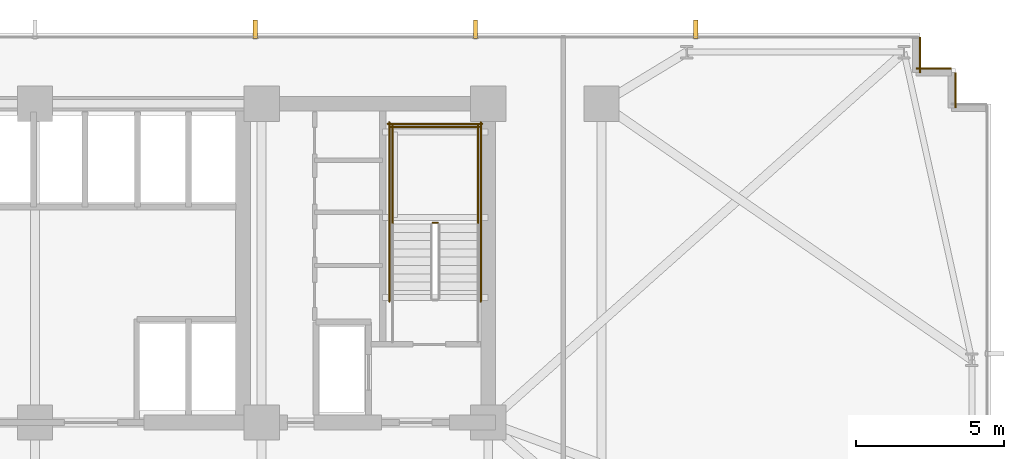
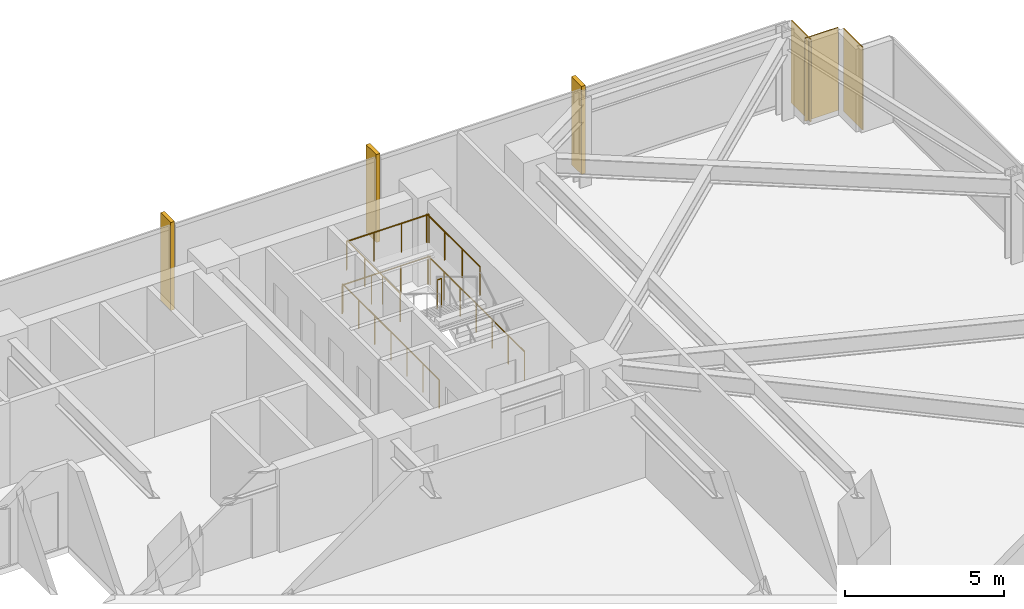
# One storey, part 31 of 32: 7 railings, 3 coverings, 3 shading devices.
"""IFC4 building model written with IfcOpenShell, lengths in metres."""

from ifc_helpers import new_model, si_unit, direction, frame, frame_2d, origin, origin_2d, place, context, subcontext, project, spatial, rectangle, circle, extrude, material, layer, layer_set, type_object, element, save


model = new_model("IFC4")

# Units and contexts
model_context = context("Model", 3, precision=1e-05, world=origin(), true_north=direction((0.0, 1.0)))
body_context = subcontext(model_context, "Body", "Model", "MODEL_VIEW")
ifc_project = project(units=[si_unit("LENGTHUNIT", "METRE"), si_unit("AREAUNIT", "SQUARE_METRE"), si_unit("VOLUMEUNIT", "CUBIC_METRE"), si_unit("PLANEANGLEUNIT", "RADIAN"), si_unit("MASSUNIT", "GRAM", prefix="KILO")], contexts=[model_context])

# Site, building, storey
site_placement = place(None, origin())
site = spatial("IfcSite", under=ifc_project, at=site_placement, CompositionType="ELEMENT")
building_placement = place(site_placement, origin())
building = spatial("IfcBuilding", under=site, at=building_placement, Name="Yelkora Congress Tower", CompositionType="ELEMENT")
storey_placement = place(building_placement, frame((0.0, 0.0, 50.800048828125)))
storey = spatial("IfcBuildingStorey", under=building, at=storey_placement, Name="L12", CompositionType="ELEMENT", Elevation=50.800048828125)

# Coverings
ifc_material_1 = material(Name="Anatolian bush-hammered limestone", Category="masonry")
ifc_layer_1 = layer(ifc_material_1, 0.0400390625)
ifc_layer_set_1 = layer_set([ifc_layer_1], Name="Anatolian bush-hammered limestone")
covering_type = type_object("IfcCoveringType", Name="COV-CLAD-SPANDREL-40", PredefinedType="CLADDING", material=ifc_layer_set_1)
for number, where, z_axis, x_axis, name in (
    (1, (68.39501953125, 48.4599609375, 0.0), (0.0, 0.0, 1.0), (0.0, -1.0, 0.0), "L12 Anatolian Limestone Cladding EW-L12-SR11"),
    (2, (68.260009765625, 47.39501953125, 0.0), (0.0, 0.0, 1.0), (1.0, 0.0, 0.0), "L12 Anatolian Limestone Cladding EW-L12-SR12"),
    (3, (69.594970703125, 47.260009765625, 0.0), (0.0, 0.0, 1.0), (0.0, -1.0, 0.0), "L12 Anatolian Limestone Cladding EW-L12-SR13"),
):
    element("IfcCovering", number, at=place(storey_placement, frame(where, z_axis=z_axis, x_axis=x_axis)), inside=storey, type_object=covering_type, Name=name, PredefinedType="CLADDING", context=body_context, shape_type="SweptSolid", body=[
        extrude(rectangle(XDim=1.199951171875, YDim=0.0400390625, at=frame_2d((0.60009765625, 0.0))), origin(), (0.0, 0.0, 1.0), 3.179931640625),
    ])

# Railings
ifc_material_2 = material(Name="Painted galvanised steel stair well guard with vertical infill", Category="steel")
ifc_layer_2 = layer(ifc_material_2, 0.06005859375)
ifc_layer_set_2 = layer_set([ifc_layer_2], Name="Painted galvanised steel stair well guard with vertical infill")
railing_type = type_object("IfcRailingType", Name="RAIL-STAIR-GUARD-1120", PredefinedType="GUARDRAIL", material=ifc_layer_set_2)
railing_1_placement = place(storey_placement, frame((52.0400390625, 42.169921875, 1.699951171875)))
element("IfcRailing", 4, at=railing_1_placement, inside=storey, type_object=railing_type, Name="ST-02 L12 Stair Well Guardrail 2", PredefinedType="GUARDRAIL", context=body_context, shape_type="SweptSolid", body=[
    extrude(circle(Radius=0.02392578125, at=origin_2d()), frame((0.0, 0.0, 1.09619140625), z_axis=(-1.0, 0.0, 0.0), x_axis=(0.0, -1.0, 0.0)), (0.0, 0.0, 1.0), 0.16015625),
    extrude(circle(Radius=0.02099609375, at=origin_2d()), origin(), (0.0, 0.0, 1.0), 1.072021484375),
    extrude(circle(Radius=0.02099609375, at=origin_2d()), frame((-0.16015625, 0.0, 0.0)), (0.0, 0.0, 1.0), 1.072021484375),
])
for number, where, name in (
    (5, (53.409912109375, 42.1201171875, 1.699951171875), "ST-02 L12 Stair Well Guardrail 3"),
    (6, (50.510009765625, 42.1201171875, 1.699951171875), "ST-02 L12 Stair Well Guardrail 4"),
):
    element("IfcRailing", number, at=place(storey_placement, frame(where)), inside=storey, type_object=railing_type, Name=name, PredefinedType="GUARDRAIL", context=body_context, shape_type="SweptSolid", body=[
        extrude(circle(Radius=0.02392578125, at=origin_2d()), frame((0.0, 0.0, 1.09619140625), z_axis=(0.0, 1.0, 0.0), x_axis=(-1.0, 0.0, 0.0)), (0.0, 0.0, 1.0), 3.349853515625),
        extrude(circle(Radius=0.02099609375, at=origin_2d()), origin(), (0.0, 0.0, 1.0), 1.072021484375),
        extrude(circle(Radius=0.02099609375, at=origin_2d()), frame((0.0, 1.11669921875, 0.0)), (0.0, 0.0, 1.0), 1.072021484375),
        extrude(circle(Radius=0.02099609375, at=origin_2d()), frame((0.0, 2.233154296875, 0.0)), (0.0, 0.0, 1.0), 1.072021484375),
        extrude(circle(Radius=0.02099609375, at=origin_2d()), frame((0.0, 3.349853515625, 0.0)), (0.0, 0.0, 1.0), 1.072021484375),
    ])
railing_2_placement = place(storey_placement, frame((53.4599609375, 45.419921875, 1.699951171875)))
element("IfcRailing", 7, at=railing_2_placement, inside=storey, type_object=railing_type, Name="ST-02 L12 Stair Well Guardrail 5", PredefinedType="GUARDRAIL", context=body_context, shape_type="SweptSolid", body=[
    extrude(circle(Radius=0.02392578125, at=origin_2d()), frame((0.0, 0.0, 1.09619140625), z_axis=(-1.0, 0.0, 0.0), x_axis=(0.0, -1.0, 0.0)), (0.0, 0.0, 1.0), 3.0),
    extrude(circle(Radius=0.02099609375, at=origin_2d()), origin(), (0.0, 0.0, 1.0), 1.072021484375),
    extrude(circle(Radius=0.02099609375, at=origin_2d()), frame((-1.0, 0.0, 0.0)), (0.0, 0.0, 1.0), 1.072021484375),
    extrude(circle(Radius=0.02099609375, at=origin_2d()), frame((-2.0, 0.0, 0.0)), (0.0, 0.0, 1.0), 1.072021484375),
    extrude(circle(Radius=0.02099609375, at=origin_2d()), frame((-3.0, 0.0, 0.0)), (0.0, 0.0, 1.0), 1.072021484375),
])
for number, where, name in (
    (8, (53.510009765625, 39.5, 0.0), "ST-02 L12 Stair Well Guardrail 10"),
    (9, (50.409912109375, 39.5, 0.0), "ST-02 L12 Stair Well Guardrail 11"),
):
    element("IfcRailing", number, at=place(storey_placement, frame(where)), inside=storey, type_object=railing_type, Name=name, PredefinedType="GUARDRAIL", context=body_context, shape_type="SweptSolid", body=[
        extrude(circle(Radius=0.02392578125, at=origin_2d()), frame((0.0, 0.0, 1.09619140625), z_axis=(0.0, 1.0, 0.0), x_axis=(-1.0, 0.0, 0.0)), (0.0, 0.0, 1.0), 6.070068359375),
        extrude(circle(Radius=0.02099609375, at=origin_2d()), origin(), (0.0, 0.0, 1.0), 1.072021484375),
        extrude(circle(Radius=0.02099609375, at=origin_2d()), frame((0.0, 1.01171875, 0.0)), (0.0, 0.0, 1.0), 1.072021484375),
        extrude(circle(Radius=0.02099609375, at=origin_2d()), frame((0.0, 2.0234375, 0.0)), (0.0, 0.0, 1.0), 1.072021484375),
        extrude(circle(Radius=0.02099609375, at=origin_2d()), frame((0.0, 3.03515625, 0.0)), (0.0, 0.0, 1.0), 1.072021484375),
        extrude(circle(Radius=0.02099609375, at=origin_2d()), frame((0.0, 4.046630859375, 0.0)), (0.0, 0.0, 1.0), 1.072021484375),
        extrude(circle(Radius=0.02099609375, at=origin_2d()), frame((0.0, 5.058349609375, 0.0)), (0.0, 0.0, 1.0), 1.072021484375),
        extrude(circle(Radius=0.02099609375, at=origin_2d()), frame((0.0, 6.070068359375, 0.0)), (0.0, 0.0, 1.0), 1.072021484375),
    ])
railing_3_placement = place(storey_placement, frame((53.56005859375, 45.52001953125, 0.0)))
element("IfcRailing", 10, at=railing_3_placement, inside=storey, type_object=railing_type, Name="ST-02 L12 Stair Well Guardrail 12", PredefinedType="GUARDRAIL", context=body_context, shape_type="SweptSolid", body=[
    extrude(circle(Radius=0.02392578125, at=origin_2d()), frame((0.0, 0.0, 1.09619140625), z_axis=(-1.0, 0.0, 0.0), x_axis=(0.0, -1.0, 0.0)), (0.0, 0.0, 1.0), 3.199951171875),
    extrude(circle(Radius=0.02099609375, at=origin_2d()), origin(), (0.0, 0.0, 1.0), 1.072021484375),
    extrude(circle(Radius=0.02099609375, at=origin_2d()), frame((-1.066650390625, 0.0, 0.0)), (0.0, 0.0, 1.0), 1.072021484375),
    extrude(circle(Radius=0.02099609375, at=origin_2d()), frame((-2.13330078125, 0.0, 0.0)), (0.0, 0.0, 1.0), 1.072021484375),
    extrude(circle(Radius=0.02099609375, at=origin_2d()), frame((-3.199951171875, 0.0, 0.0)), (0.0, 0.0, 1.0), 1.072021484375),
])

# Shading devices
ifc_material_3 = material(Name="Champagne anodised aluminium", Category="aluminium")
ifc_layer_3 = layer(ifc_material_3, 3.39990234375)
ifc_layer_set_3 = layer_set([ifc_layer_3], Name="Champagne anodised aluminium")
shading_device_type = type_object("IfcShadingDeviceType", Name="SHD-FIN-ALU-640", PredefinedType="USERDEFINED", material=ifc_layer_set_3)
for number, where, z_axis, x_axis, name in (
    (11, (45.864990234375, 48.719970703125, -0.030029296875), (0.0, 0.0, 1.0), (1.0, 0.0, 0.0), "L12 Vertical Anodised Solar Fin 10-5"),
    (12, (53.330078125, 48.719970703125, -0.030029296875), (0.0, 0.0, 1.0), (1.0, 0.0, 0.0), "L12 Vertical Anodised Solar Fin 10-6"),
    (13, (60.794921875, 48.719970703125, -0.030029296875), (0.0, 0.0, 1.0), (1.0, 0.0, 0.0), "L12 Vertical Anodised Solar Fin 10-7"),
):
    element("IfcShadingDevice", number, at=place(storey_placement, frame(where, z_axis=z_axis, x_axis=x_axis)), inside=storey, type_object=shading_device_type, Name=name, ObjectType="FIN", PredefinedType="USERDEFINED", context=body_context, shape_type="SweptSolid", body=[
        extrude(rectangle(XDim=0.139892578125, YDim=0.639892578125, at=origin_2d()), origin(), (0.0, 0.0, 1.0), 3.3798828125),
    ])

save(model, "model.ifc")
